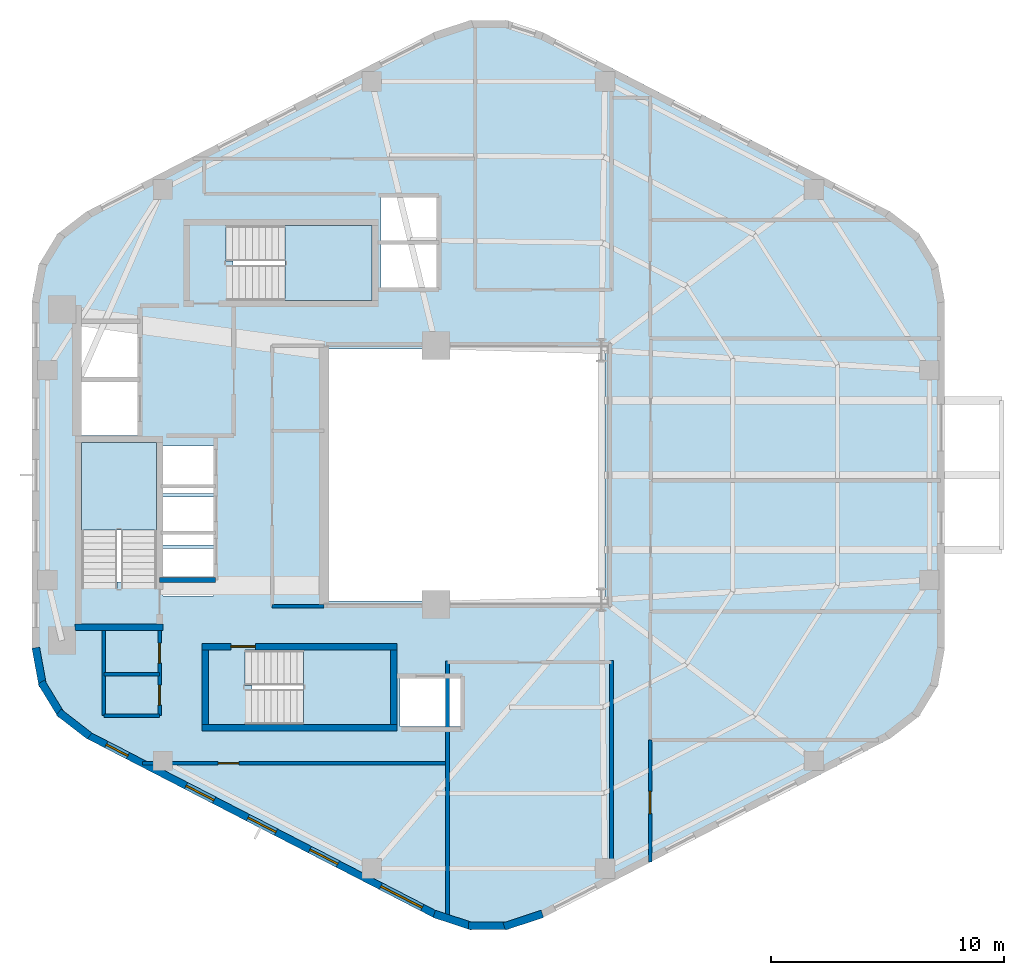
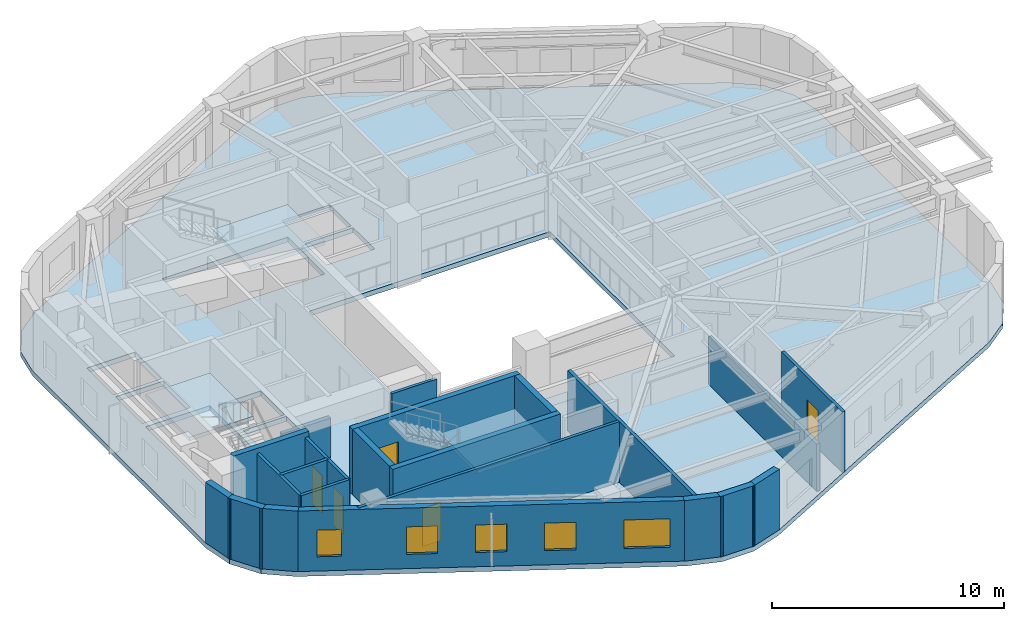
# One storey, part 2 of 6: 22 walls, 5 doors, 5 windows, 4 slabs, 10 openings, 3 elements without a shape of their own.
"""IFC4 building model written with IfcOpenShell, lengths in metres."""

import ifcopenshell
import ifcopenshell.guid

model = None  # the IFC model being written
_history = None  # IfcOwnerHistory: only IFC2X3 demands one
_inside = {}  # id of a spatial element -> (the spatial element, [elements in it])
_under = {}  # id of a project, library or spatial element -> (it, [spatial elements below it])
_declared = {}  # id of a project -> (the project, [libraries it declares])
_typed = {}  # id of a type object -> (the type object, [elements of that type])
_made_of = {}  # id of a material, layer set ... -> (it, [elements and type objects made of it])


def new_model(schema):
    """Start an empty IFC model of exactly this schema.

    Asked for "IFC4X3", IfcOpenShell would pick the latest addendum, in which some entities
    have other attributes; the version numbers below select the first issue.
    IFC2X3 requires an IfcOwnerHistory on every rooted entity: one is made here for all.
    """
    global model, _history
    if schema == "IFC4X3":
        model = ifcopenshell.file(schema_version=(4, 3, 0, 0))
    else:
        model = ifcopenshell.file(schema=schema)
    _inside.clear()
    _under.clear()
    _declared.clear()
    _typed.clear()
    _made_of.clear()
    _history = None
    if model.schema == "IFC2X3":
        org = make("IfcOrganization", Name="unknown")
        user = make(
            "IfcPersonAndOrganization",
            ThePerson=make("IfcPerson", FamilyName="unknown"),
            TheOrganization=org,
        )
        app = make(
            "IfcApplication",
            ApplicationDeveloper=org,
            Version="unknown",
            ApplicationFullName="unknown",
            ApplicationIdentifier="unknown",
        )
        _history = make(
            "IfcOwnerHistory",
            OwningUser=user,
            OwningApplication=app,
            ChangeAction="ADDED",
            CreationDate=0,
        )
    return model


def make(cls, **values):
    """One entity of the class cls with the attributes given. An attribute that is None is left unset."""
    return model.create_entity(
        cls, **{name: value for name, value in values.items() if value is not None}
    )


def rooted(cls, **values):
    """An entity with a GlobalId (a new one), such as an element, a storey or a relation."""
    return make(cls, GlobalId=ifcopenshell.guid.new(), OwnerHistory=_history, **values)


def si_unit(unit_type, name, prefix=None):
    """IfcSIUnit, for example si_unit("LENGTHUNIT", "METRE", prefix="MILLI")."""
    return make("IfcSIUnit", UnitType=unit_type, Prefix=prefix, Name=name)


def assignment(units):
    """IfcUnitAssignment: the units of a project."""
    return None if units is None else make("IfcUnitAssignment", Units=units)


def point(xyz):
    """IfcCartesianPoint."""
    return None if xyz is None else make("IfcCartesianPoint", Coordinates=xyz)


def direction(xyz):
    """IfcDirection."""
    return None if xyz is None else make("IfcDirection", DirectionRatios=xyz)


def frame(location, z_axis=None, x_axis=None):
    """IfcAxis2Placement3D, a coordinate frame: its origin and axes. An axis left out is left unset."""
    return make(
        "IfcAxis2Placement3D",
        Location=point(location),
        Axis=direction(z_axis),
        RefDirection=direction(x_axis),
    )


def frame_2d(location, x_axis=None):
    """IfcAxis2Placement2D, a coordinate frame in the plane: its origin and x axis."""
    return make(
        "IfcAxis2Placement2D", Location=point(location), RefDirection=direction(x_axis)
    )


def origin():
    """The frame at (0, 0, 0) with its axes left unset."""
    return frame((0.0, 0.0, 0.0))


def place(relative_to, where):
    """IfcLocalPlacement: puts the frame where relative to a parent placement (None: the world)."""
    return make(
        "IfcLocalPlacement", PlacementRelTo=relative_to, RelativePlacement=where
    )


def context(
    kind, dimensions, precision=None, world=None, true_north=None, identifier=None
):
    """IfcGeometricRepresentationContext, for example the 3D "Model" context."""
    return make(
        "IfcGeometricRepresentationContext",
        ContextIdentifier=identifier,
        ContextType=kind,
        CoordinateSpaceDimension=dimensions,
        Precision=precision,
        WorldCoordinateSystem=world,
        TrueNorth=true_north,
    )


def subcontext(parent, identifier, kind, view, scale=None):
    """IfcGeometricRepresentationSubContext, for example "Body" below "Model"."""
    return make(
        "IfcGeometricRepresentationSubContext",
        ContextIdentifier=identifier,
        ContextType=kind,
        ParentContext=parent,
        TargetScale=scale,
        TargetView=view,
    )


def project(units=None, contexts=None):
    """IfcProject with its units and contexts."""
    return rooted(
        "IfcProject",
        Name="project",
        RepresentationContexts=contexts,
        UnitsInContext=assignment(units),
    )


def spatial(cls, under=None, at=None, **own):
    """A site, building, storey or space (cls), placed at a placement, below another one or the project."""
    s = rooted(cls, ObjectPlacement=at, **own)
    if under is not None:
        _under.setdefault(under.id(), (under, []))[1].append(s)
    return s


def polyline(points):
    """IfcPolyline through the points."""
    return make("IfcPolyline", Points=[point(p) for p in points])


def profile(cls, at=None, kind="AREA", **sizes):
    """A parametric profile (cls). Its sizes go by their IFC names, for example OverallWidth=200.0."""
    return make(cls, ProfileType=kind, Position=at, **sizes)


def rectangle(**sizes):
    """IfcRectangleProfileDef."""
    return profile("IfcRectangleProfileDef", **sizes)


def outline(outer, holes=None, kind="AREA"):
    """IfcArbitraryClosedProfileDef: a profile drawn as a closed curve; with holes, ...WithVoids."""
    if holes is None:
        return make("IfcArbitraryClosedProfileDef", ProfileType=kind, OuterCurve=outer)
    return make(
        "IfcArbitraryProfileDefWithVoids",
        ProfileType=kind,
        OuterCurve=outer,
        InnerCurves=holes,
    )


def extrude(swept, where, along, depth):
    """IfcExtrudedAreaSolid: the profile swept, set in the frame where, extruded along a direction by depth."""
    return make(
        "IfcExtrudedAreaSolid",
        SweptArea=swept,
        Position=where,
        ExtrudedDirection=direction(along),
        Depth=depth,
    )


def shape(context_of_items, identifier, shape_type, items):
    """IfcShapeRepresentation: the items that make up one representation, for example the "Body"."""
    return make(
        "IfcShapeRepresentation",
        ContextOfItems=context_of_items,
        RepresentationIdentifier=identifier,
        RepresentationType=shape_type,
        Items=items,
    )


def material(Name=None, Category=None):
    """IfcMaterial."""
    return make("IfcMaterial", Name=Name, Category=Category)


def layer(
    of_material, thickness, ventilated=None, Name=None, Category=None, Priority=None
):
    """IfcMaterialLayer: one layer of a wall or slab, of a material (None: an air gap)."""
    return make(
        "IfcMaterialLayer",
        Material=of_material,
        LayerThickness=thickness,
        IsVentilated=ventilated,
        Name=Name,
        Category=Category,
        Priority=Priority,
    )


def layer_set(layers, Name=None):
    """IfcMaterialLayerSet."""
    return make("IfcMaterialLayerSet", MaterialLayers=layers, LayerSetName=Name)


def made_of(thing, what):
    """Note that an element or type object is made of a material, layer set ...; save() writes the relation."""
    if what is not None:
        _made_of.setdefault(what.id(), (what, []))[1].append(thing)
    return thing


def type_object(cls, material=None, **own):
    """A type object (cls), such as IfcWallType, which elements share."""
    return made_of(rooted(cls, **own), material)


def element(
    cls,
    number,
    at=None,
    inside=None,
    cuts=None,
    type_object=None,
    material=None,
    context=None,
    identifier="Body",
    shape_type=None,
    held_by="IfcProductDefinitionShape",
    body=None,
    shapes=None,
    **own,
):
    """One element of the class cls, such as IfcWall. Its Tag is "e" and its number.

    at: its placement. inside: the storey or other place that contains it. cuts: it is an
    opening in that element (IfcRelVoidsElement). A single representation is given by context,
    identifier, shape_type and body (its items); several are given by shapes. held_by: the class
    of the entity that holds the representations. save() writes the other relations.
    """
    e = rooted(cls, Tag="e%d" % number, ObjectPlacement=at, **own)
    if body is not None:
        shapes = [shape(context, identifier, shape_type, body)]
    if shapes is not None:
        e.Representation = make(held_by, Representations=shapes)
    if inside is not None:
        _inside.setdefault(inside.id(), (inside, []))[1].append(e)
    if cuts is not None:
        rooted(
            "IfcRelVoidsElement", RelatingBuildingElement=cuts, RelatedOpeningElement=e
        )
    if type_object is not None:
        _typed.setdefault(type_object.id(), (type_object, []))[1].append(e)
    return made_of(e, material)


def fill(opening, filler):
    """IfcRelFillsElement: the door or window that sits in an opening."""
    return rooted(
        "IfcRelFillsElement",
        RelatingOpeningElement=opening,
        RelatedBuildingElement=filler,
    )


def aggregate(whole, parts):
    """IfcRelAggregates: a whole, such as a stair, and the parts it consists of."""
    return rooted("IfcRelAggregates", RelatingObject=whole, RelatedObjects=parts)


def save(model, path):
    """Write the relations noted so far, then the file.

    IfcRelAggregates (storeys below a building ...), IfcRelContainedInSpatialStructure (elements
    in a storey), IfcRelDefinesByType, IfcRelAssociatesMaterial and IfcRelDeclares: one each for
    every whole, place, type object, material and project.
    """
    for whole, parts in _under.values():
        aggregate(whole, parts)
    for where, things in _inside.values():
        rooted(
            "IfcRelContainedInSpatialStructure",
            RelatedElements=things,
            RelatingStructure=where,
        )
    for kind, things in _typed.values():
        rooted("IfcRelDefinesByType", RelatedObjects=things, RelatingType=kind)
    for what, things in _made_of.values():
        rooted("IfcRelAssociatesMaterial", RelatedObjects=things, RelatingMaterial=what)
    for by, libraries in _declared.values():
        rooted("IfcRelDeclares", RelatingContext=by, RelatedDefinitions=libraries)
    model.write(path)


model = new_model("IFC4")

# Units and contexts
model_context = context("Model", 3, precision=1e-05, world=origin(), true_north=direction((0.0, 1.0)))
body_context = subcontext(model_context, "Body", "Model", "MODEL_VIEW")
ifc_project = project(units=[si_unit("LENGTHUNIT", "METRE"), si_unit("AREAUNIT", "SQUARE_METRE"), si_unit("VOLUMEUNIT", "CUBIC_METRE"), si_unit("PLANEANGLEUNIT", "RADIAN"), si_unit("MASSUNIT", "GRAM", prefix="KILO"), si_unit("THERMODYNAMICTEMPERATUREUNIT", "KELVIN"), si_unit("POWERUNIT", "WATT")], contexts=[model_context])

# Site, building, storey
site_placement = place(None, origin())
site = spatial("IfcSite", under=ifc_project, at=site_placement, CompositionType="ELEMENT")
building_placement = place(site_placement, origin())
building = spatial("IfcBuilding", under=site, at=building_placement, Name="Skarre Station Tower", CompositionType="ELEMENT")
storey_placement = place(building_placement, frame((0.0, 0.0, 210.25)))
storey = spatial("IfcBuildingStorey", under=building, at=storey_placement, Name="L57", CompositionType="ELEMENT", Elevation=210.25)

# Stair, slab
ifc_material_1 = material(Name="Concrete C40/50", Category="concrete")
stair_type_1 = type_object("IfcStairType", Name="Reinforced Concrete Exit Stair ST-1", PredefinedType="HALF_TURN_STAIR", material=ifc_material_1)
stair_1_placement = place(storey_placement, origin())
stair_1 = element("IfcStair", 1, at=stair_1_placement, inside=storey, type_object=stair_type_1, Name="L57 Core Exit Stair ST-1", PredefinedType="HALF_TURN_STAIR")
ifc_layer_1 = layer(ifc_material_1, 0.219970703125, Name="Concrete C40/50")
ifc_layer_set_1 = layer_set([ifc_layer_1], Name="Concrete C40/50")
slab_type_1 = type_object("IfcSlabType", Name="Reinforced Concrete Stair & Ramp Landing 220", PredefinedType="LANDING", material=ifc_layer_set_1)
slab_1_placement = place(storey_placement, frame((0.0, 0.0, 1.52490234375)))
slab_1 = element("IfcSlab", 2, at=slab_1_placement, type_object=slab_type_1, Name="ST-1 landing 1", PredefinedType="LANDING", context=body_context, shape_type="SweptSolid", body=[
    extrude(outline(polyline([(20.35009765625, 21.639892578125), (20.35009765625, 25.39990234375), (17.14990234375, 25.39990234375), (17.14990234375, 21.639892578125), (20.35009765625, 21.639892578125)])), origin(), (0.0, 0.0, 1.0), 0.2001953125),
])
aggregate(stair_1, [slab_1])

stair_type_2 = type_object("IfcStairType", Name="Reinforced Concrete Exit Stair ST-2", PredefinedType="HALF_TURN_STAIR", material=ifc_material_1)
stair_2_placement = place(storey_placement, origin())
stair_2 = element("IfcStair", 3, at=stair_2_placement, inside=storey, type_object=stair_type_2, Name="L57 Core Exit Stair ST-2", PredefinedType="HALF_TURN_STAIR")
slab_2_placement = place(storey_placement, frame((0.0, 0.0, 1.52490234375)))
slab_2 = element("IfcSlab", 4, at=slab_2_placement, type_object=slab_type_1, Name="ST-2 landing 1", PredefinedType="LANDING", context=body_context, shape_type="SweptSolid", body=[
    extrude(outline(polyline([(26.669921875, 13.300048828125), (30.39990234375, 13.300048828125), (30.39990234375, 16.5), (26.669921875, 16.5), (26.669921875, 13.300048828125)])), origin(), (0.0, 0.0, 1.0), 0.2001953125),
])
aggregate(stair_2, [slab_2])

stair_type_3 = type_object("IfcStairType", Name="Reinforced Concrete Exit Stair ST-3", PredefinedType="HALF_TURN_STAIR", material=ifc_material_1)
stair_3_placement = place(storey_placement, origin())
stair_3 = element("IfcStair", 5, at=stair_3_placement, inside=storey, type_object=stair_type_3, Name="L57 Core Exit Stair ST-3", PredefinedType="HALF_TURN_STAIR")
slab_3_placement = place(storey_placement, frame((0.0, 0.0, 1.52490234375)))
slab_3 = element("IfcSlab", 6, at=slab_3_placement, type_object=slab_type_1, Name="ST-3 landing 1", PredefinedType="LANDING", context=body_context, shape_type="SweptSolid", body=[
    extrude(outline(polyline([(25.8701171875, 31.5), (29.60009765625, 31.5), (29.60009765625, 34.699951171875), (25.8701171875, 34.699951171875), (25.8701171875, 31.5)])), origin(), (0.0, 0.0, 1.0), 0.2001953125),
])
aggregate(stair_3, [slab_3])

# Slab
ifc_material_2 = material(Name="Concrete C50/60", Category="concrete")
ifc_layer_2 = layer(ifc_material_2, 0.260009765625, Name="Concrete C50/60")
ifc_layer_set_2 = layer_set([ifc_layer_2], Name="Concrete C50/60")
slab_type_2 = type_object("IfcSlabType", Name="Tower Typical Composite Floor Slab 260", PredefinedType="FLOOR", material=ifc_layer_set_2)
slab_4_placement = place(storey_placement, frame((0.0, 0.0, -0.260009765625)))
element("IfcSlab", 7, at=slab_4_placement, inside=storey, type_object=slab_type_2, Name="L57 Zone 3 Structural Floor Slab", PredefinedType="FLOOR", context=body_context, shape_type="SweptSolid", body=[
    extrude(outline(polyline([(54.172119140625, 31.501953125), (53.89208984375, 33.02294921875), (53.0869140625, 34.344970703125), (51.863037109375, 35.291015625), (36.908935546875, 43.009033203125), (35.39599609375, 43.506103515625), (33.803955078125, 43.506103515625), (32.291015625, 43.009033203125), (17.3369140625, 35.291015625), (16.113037109375, 34.344970703125), (15.30810546875, 33.02294921875), (15.028076171875, 31.501953125), (15.028076171875, 16.498046875), (15.30810546875, 14.97705078125), (16.113037109375, 13.655029296875), (17.3369140625, 12.708984375), (32.291015625, 4.990966796875), (33.803955078125, 4.493896484375), (35.39599609375, 4.493896484375), (36.908935546875, 4.990966796875), (51.863037109375, 12.708984375), (53.0869140625, 13.655029296875), (53.89208984375, 14.97705078125), (54.172119140625, 16.498046875), (54.172119140625, 31.501953125)]), holes=[polyline([(18.669921875, 19.419921875), (18.669921875, 19.123046875), (17.14990234375, 19.123046875), (17.14990234375, 25.39990234375), (20.35009765625, 25.39990234375), (20.35009765625, 19.419921875), (18.669921875, 19.419921875)]), polyline([(24.449951171875, 14.97998046875), (24.153076171875, 14.97998046875), (24.153076171875, 16.5), (30.39990234375, 16.5), (30.39990234375, 13.300048828125), (24.449951171875, 13.300048828125), (24.449951171875, 14.97998046875)]), polyline([(23.64990234375, 33.179931640625), (23.35302734375, 33.179931640625), (23.35302734375, 34.699951171875), (29.60009765625, 34.699951171875), (29.60009765625, 31.5), (23.64990234375, 31.5), (23.64990234375, 33.179931640625)]), polyline([(17.14990234375, 28.0), (19.550048828125, 28.0), (19.550048828125, 25.699951171875), (17.14990234375, 25.699951171875), (17.14990234375, 28.0)]), polyline([(17.14990234375, 30.5), (19.550048828125, 30.5), (19.550048828125, 28.199951171875), (17.14990234375, 28.199951171875), (17.14990234375, 30.5)]), polyline([(30.800048828125, 15.300048828125), (33.39990234375, 15.300048828125), (33.39990234375, 13.199951171875), (30.800048828125, 13.199951171875), (30.800048828125, 15.300048828125)]), polyline([(20.64990234375, 20.85009765625), (22.800048828125, 20.85009765625), (22.800048828125, 18.800048828125), (20.64990234375, 18.800048828125), (20.64990234375, 20.85009765625)]), polyline([(20.64990234375, 23.050048828125), (22.800048828125, 23.050048828125), (22.800048828125, 21.0), (20.64990234375, 21.0), (20.64990234375, 23.050048828125)]), polyline([(20.64990234375, 25.25), (22.800048828125, 25.25), (22.800048828125, 23.199951171875), (20.64990234375, 23.199951171875), (20.64990234375, 25.25)]), polyline([(30.0, 33.89990234375), (32.39990234375, 33.89990234375), (32.39990234375, 32.050048828125), (30.0, 32.050048828125), (30.0, 33.89990234375)]), polyline([(30.0, 35.89990234375), (32.39990234375, 35.89990234375), (32.39990234375, 34.050048828125), (30.0, 34.050048828125), (30.0, 35.89990234375)]), polyline([(27.60009765625, 29.39990234375), (39.60009765625, 29.39990234375), (39.60009765625, 18.60009765625), (27.60009765625, 18.60009765625), (27.60009765625, 29.39990234375)])]), origin(), (0.0, 0.0, 1.0), 0.260009765625),
])

# Walls
ifc_material_3 = material(Name="Acoustic Steel-Stud Gypsum Partition", Category="steel")
ifc_layer_3 = layer(ifc_material_3, 0.14990234375, Name="Acoustic Steel-Stud Gypsum Partition")
ifc_layer_set_3 = layer_set([ifc_layer_3], Name="Acoustic Steel-Stud Gypsum Partition")
wall_type_1 = type_object("IfcWallType", Name="Fire-Rated Corridor Acoustic Partition 150", PredefinedType="PARTITIONING", material=ifc_layer_set_3)
wall_1_placement = place(storey_placement, frame((25.320068359375, 18.360107421875, 0.0), z_axis=(0.0, 0.0, 1.0), x_axis=(1.0, 0.0, 0.0)))
element("IfcWall", 8, at=wall_1_placement, inside=storey, type_object=wall_type_1, Name="L57 Interior Partition WL-PT-L57-RC2-S", PredefinedType="PARTITIONING", context=body_context, shape_type="SweptSolid", body=[
    extrude(rectangle(XDim=2.22998046875, YDim=0.14990234375, at=frame_2d((1.114990234375, 0.0))), origin(), (0.0, 0.0, 1.0), 3.18994140625),
])
wall_2_placement = place(storey_placement, frame((18.10009765625, 17.340087890625, 0.0), z_axis=(0.0, 0.0, 1.0), x_axis=(0.0, -1.0, 0.0)))
element("IfcWall", 9, at=wall_2_placement, inside=storey, type_object=wall_type_1, Name="L57 Interior Partition WL-PT-L57-CSVC-W", PredefinedType="PARTITIONING", context=body_context, shape_type="SweptSolid", body=[
    extrude(rectangle(XDim=3.66015625, YDim=0.14990234375, at=frame_2d((1.830078125, 0.0))), origin(), (0.0, 0.0, 1.0), 3.18994140625),
])
for number, where, z_axis, x_axis, name in (
    (10, (18.10009765625, 13.679931640625, 0.0), (0.0, 0.0, 1.0), (1.0, 0.0, 0.0), "L57 Interior Partition WL-PT-L57-CSVC-S"),
    (11, (18.10009765625, 15.4599609375, 0.0), (0.0, 0.0, 1.0), (1.0, 0.0, 0.0), "L57 Interior Partition WL-PT-L57-CSVC-M"),
):
    element("IfcWall", number, at=place(storey_placement, frame(where, z_axis=z_axis, x_axis=x_axis)), inside=storey, type_object=wall_type_1, Name=name, PredefinedType="PARTITIONING", context=body_context, shape_type="SweptSolid", body=[
        extrude(rectangle(XDim=2.389892578125, YDim=0.14990234375, at=frame_2d((1.19482421875, 0.0))), origin(), (0.0, 0.0, 1.0), 3.18994140625),
    ])

# Wall, openings, doors
wall_3_placement = place(storey_placement, frame((20.489990234375, 13.679931640625, 0.0), z_axis=(0.0, 0.0, 1.0), x_axis=(0.0, 1.0, 0.0)))
wall_3 = element("IfcWall", 12, at=wall_3_placement, inside=storey, type_object=wall_type_1, Name="L57 Interior Partition WL-PT-L57-CSVC-E", PredefinedType="PARTITIONING", context=body_context, shape_type="SweptSolid", body=[
    extrude(rectangle(XDim=3.66015625, YDim=0.14990234375, at=frame_2d((1.830078125, 0.0))), origin(), (0.0, 0.0, 1.0), 3.18994140625),
])
opening_1_placement = place(wall_3_placement, frame((0.449951171875, 0.0, 0.0)))
opening_1 = element("IfcOpeningElement", 13, at=opening_1_placement, cuts=wall_3, Name="Opening DR-SVC86", PredefinedType="OPENING", context=body_context, shape_type="SweptSolid", body=[
    extrude(rectangle(XDim=0.860107421875, YDim=2.0, at=frame_2d((0.43017578125, 1.0))), frame((0.0, 0.0849609375, 0.0), z_axis=(0.0, -1.0, 0.0), x_axis=(1.0, 0.0, 0.0)), (0.0, 0.0, 1.0), 0.169921875),
])
opening_2_placement = place(wall_3_placement, frame((2.25, 0.0, 0.0)))
opening_2 = element("IfcOpeningElement", 14, at=opening_2_placement, cuts=wall_3, Name="Opening DR-SVC86", PredefinedType="OPENING", context=body_context, shape_type="SweptSolid", body=[
    extrude(rectangle(XDim=0.860107421875, YDim=2.0, at=frame_2d((0.43017578125, 1.0))), frame((0.0, 0.0849609375, 0.0), z_axis=(0.0, -1.0, 0.0), x_axis=(1.0, 0.0, 0.0)), (0.0, 0.0, 1.0), 0.169921875),
])
ifc_material_4 = material(Name="Powder-Coated Hollow-Metal Acoustic Fire Leaf", Category="steel")
door_type_1 = type_object("IfcDoorType", Name="Compact Riser Fire Door FD60 860x2100", OperationType="SINGLE_SWING_LEFT", PredefinedType="DOOR", material=ifc_material_4)
door_1_placement = place(opening_1_placement, origin())
door_1 = element("IfcDoor", 15, at=door_1_placement, inside=storey, type_object=door_type_1, Name="L57 Vending Room Door", OperationType="SINGLE_SWING_LEFT", OverallHeight=2.0, OverallWidth=0.860107421875, PredefinedType="DOOR", context=body_context, shape_type="SweptSolid", body=[
    extrude(rectangle(XDim=0.860107421875, YDim=2.0, at=frame_2d((0.43017578125, 1.0))), frame((0.0, 0.02490234375, 0.0), z_axis=(0.0, -1.0, 0.0), x_axis=(1.0, 0.0, 0.0)), (0.0, 0.0, 1.0), 0.050048828125),
])
fill(opening_1, door_1)
door_2_placement = place(opening_2_placement, origin())
door_2 = element("IfcDoor", 16, at=door_2_placement, inside=storey, type_object=door_type_1, Name="L57 Linen Storage Door", OperationType="SINGLE_SWING_LEFT", OverallHeight=2.0, OverallWidth=0.860107421875, PredefinedType="DOOR", context=body_context, shape_type="SweptSolid", body=[
    extrude(rectangle(XDim=0.860107421875, YDim=2.0, at=frame_2d((0.43017578125, 1.0))), frame((0.0, 0.02490234375, 0.0), z_axis=(0.0, -1.0, 0.0), x_axis=(1.0, 0.0, 0.0)), (0.0, 0.0, 1.0), 0.050048828125),
])
fill(opening_2, door_2)

# Wall, opening, door
wall_4_placement = place(storey_placement, frame((19.757080078125, 11.639892578125, 0.0), z_axis=(0.0, 0.0, 1.0), x_axis=(1.0, 0.0, 0.0)))
wall_4 = element("IfcWall", 17, at=wall_4_placement, inside=storey, type_object=wall_type_1, Name="L57 Interior Partition WL-PT-L57-SWP-N", PredefinedType="PARTITIONING", context=body_context, shape_type="SweptSolid", body=[
    extrude(rectangle(XDim=13.093017578125, YDim=0.14990234375, at=frame_2d((6.54638671875, 0.0))), origin(), (0.0, 0.0, 1.0), 3.18994140625),
])
opening_3_placement = place(wall_4_placement, frame((3.242919921875, 0.0, 0.0)))
opening_3 = element("IfcOpeningElement", 18, at=opening_3_placement, cuts=wall_4, Name="Opening DR-SVC90", PredefinedType="OPENING", context=body_context, shape_type="SweptSolid", body=[
    extrude(rectangle(XDim=0.89990234375, YDim=2.0, at=frame_2d((0.449951171875, 1.0))), frame((0.0, 0.0849609375, 0.0), z_axis=(0.0, -1.0, 0.0), x_axis=(1.0, 0.0, 0.0)), (0.0, 0.0, 1.0), 0.169921875),
])
door_type_2 = type_object("IfcDoorType", Name="Service & Riser Fire Door FD60 900x2100", OperationType="SINGLE_SWING_LEFT", PredefinedType="DOOR", material=ifc_material_4)
door_3_placement = place(opening_3_placement, origin())
door_3 = element("IfcDoor", 19, at=door_3_placement, inside=storey, type_object=door_type_2, Name="L57 Floor Public Toilets Door", OperationType="SINGLE_SWING_LEFT", OverallHeight=2.0, OverallWidth=0.89990234375, PredefinedType="DOOR", context=body_context, shape_type="SweptSolid", body=[
    extrude(rectangle(XDim=0.89990234375, YDim=2.0, at=frame_2d((0.449951171875, 1.0))), frame((0.0, 0.02490234375, 0.0), z_axis=(0.0, -1.0, 0.0), x_axis=(1.0, 0.0, 0.0)), (0.0, 0.0, 1.0), 0.050048828125),
])
fill(opening_3, door_3)

wall_5_placement = place(storey_placement, frame((41.5400390625, 7.39208984375, 0.0), z_axis=(0.0, 0.0, 1.0), x_axis=(0.0, 1.0, 0.0)))
wall_5 = element("IfcWall", 20, at=wall_5_placement, inside=storey, type_object=wall_type_1, Name="L57 Interior Partition WL-PT-L57-SW1-CW", PredefinedType="PARTITIONING", context=body_context, shape_type="SweptSolid", body=[
    extrude(rectangle(XDim=5.22900390625, YDim=0.14990234375, at=frame_2d((2.614501953125, 0.0))), origin(), (0.0, 0.0, 1.0), 3.18994140625),
])
opening_4_placement = place(wall_5_placement, frame((2.075927734375, 0.0, 0.0)))
opening_4 = element("IfcOpeningElement", 21, at=opening_4_placement, cuts=wall_5, Name="Opening DR-FD60", PredefinedType="OPENING", context=body_context, shape_type="SweptSolid", body=[
    extrude(rectangle(XDim=0.9599609375, YDim=2.0, at=frame_2d((0.47998046875, 1.0))), frame((0.0, 0.0849609375, 0.0), z_axis=(0.0, -1.0, 0.0), x_axis=(1.0, 0.0, 0.0)), (0.0, 0.0, 1.0), 0.169921875),
])
ifc_material_5 = material(Name="Nordic White-Oak Veneer Solid-Core Fire Leaf", Category="wood")
door_type_3 = type_object("IfcDoorType", Name="Corridor Suite Entry Fire Door FD60 960x2150", OperationType="SINGLE_SWING_LEFT", PredefinedType="DOOR", material=ifc_material_5)
door_4_placement = place(opening_4_placement, origin())
door_4 = element("IfcDoor", 22, at=door_4_placement, inside=storey, type_object=door_type_3, Name="L57 SW1 Entry Door", OperationType="SINGLE_SWING_LEFT", OverallHeight=2.0, OverallWidth=0.9599609375, PredefinedType="DOOR", context=body_context, shape_type="SweptSolid", body=[
    extrude(rectangle(XDim=0.9599609375, YDim=2.0, at=frame_2d((0.47998046875, 1.0))), frame((0.0, 0.02490234375, 0.0), z_axis=(0.0, -1.0, 0.0), x_axis=(1.0, 0.0, 0.0)), (0.0, 0.0, 1.0), 0.050048828125),
])
fill(opening_4, door_4)

# Walls
ifc_material_6 = material(Name="Precast concrete C45/55", Category="concrete")
ifc_layer_4 = layer(ifc_material_6, 0.330078125, Name="Precast concrete C45/55")
ifc_layer_set_4 = layer_set([ifc_layer_4], Name="Precast concrete C45/55")
wall_type_2 = type_object("IfcWallType", Name="Nordic Rounded Corner Precast Wall 330", PredefinedType="STANDARD", material=ifc_layer_set_4)
wall_6_placement = place(storey_placement, frame((17.489013671875, 12.800048828125, 0.0), z_axis=(0.0, 0.0, 1.0), x_axis=(-0.791409877269, 0.611285862884, 0.0)))
element("IfcWall", 23, at=wall_6_placement, inside=storey, type_object=wall_type_2, Name="L57 Rounded Corner Precast Wall F3-1", PredefinedType="STANDARD", context=body_context, shape_type="SweptSolid", body=[
    extrude(rectangle(XDim=1.676513671875, YDim=0.330078125, at=frame_2d((0.83837890625, 0.0))), origin(), (0.0, 0.0, 1.0), 3.18994140625),
])
wall_7_placement = place(storey_placement, frame((16.2880859375, 13.68505859375, 0.0), z_axis=(0.0, 0.0, 1.0), x_axis=(-0.520325409202, 0.853968072318, 0.0)))
element("IfcWall", 24, at=wall_7_placement, inside=storey, type_object=wall_type_2, Name="L57 Rounded Corner Precast Wall F3-2", PredefinedType="STANDARD", context=body_context, shape_type="SweptSolid", body=[
    extrude(rectangle(XDim=1.677978515625, YDim=0.330078125, at=frame_2d((0.8388671875, 0.0))), origin(), (0.0, 0.0, 1.0), 3.18994140625),
])
wall_8_placement = place(storey_placement, frame((15.48193359375, 14.943115234375, 0.0), z_axis=(0.0, 0.0, 1.0), x_axis=(-0.180717642671, 0.983535019014, 0.0)))
element("IfcWall", 25, at=wall_8_placement, inside=storey, type_object=wall_type_2, Name="L57 Rounded Corner Precast Wall F3-3", PredefinedType="STANDARD", context=body_context, shape_type="SweptSolid", body=[
    extrude(rectangle(XDim=1.676513671875, YDim=0.330078125, at=frame_2d((0.83837890625, 0.0))), origin(), (0.0, 0.0, 1.0), 3.18994140625),
])
wall_9_placement = place(storey_placement, frame((36.9189453125, 5.16796875, 0.0), z_axis=(0.0, 0.0, 1.0), x_axis=(-0.949937416267, -0.312440242569, 0.0)))
element("IfcWall", 26, at=wall_9_placement, inside=storey, type_object=wall_type_2, Name="L57 Rounded Corner Precast Wall F4-1", PredefinedType="STANDARD", context=body_context, shape_type="SweptSolid", body=[
    extrude(rectangle(XDim=1.72216796875, YDim=0.330078125, at=frame_2d((0.861083984375, 0.0))), origin(), (0.0, 0.0, 1.0), 3.18994140625),
])
wall_10_placement = place(storey_placement, frame((35.4609375, 4.658935546875, 0.0), z_axis=(0.0, 0.0, 1.0), x_axis=(-1.0, 0.0, 0.0)))
element("IfcWall", 27, at=wall_10_placement, inside=storey, type_object=wall_type_2, Name="L57 Rounded Corner Precast Wall F4-2", PredefinedType="STANDARD", context=body_context, shape_type="SweptSolid", body=[
    extrude(rectangle(XDim=1.721923828125, YDim=0.330078125, at=frame_2d((0.86083984375, 0.0))), origin(), (0.0, 0.0, 1.0), 3.18994140625),
])
wall_11_placement = place(storey_placement, frame((33.9169921875, 4.6298828125, 0.0), z_axis=(0.0, 0.0, 1.0), x_axis=(-0.949937416267, 0.312440242569, 0.0)))
element("IfcWall", 28, at=wall_11_placement, inside=storey, type_object=wall_type_2, Name="L57 Rounded Corner Precast Wall F4-3", PredefinedType="STANDARD", context=body_context, shape_type="SweptSolid", body=[
    extrude(rectangle(XDim=1.72216796875, YDim=0.330078125, at=frame_2d((0.861083984375, 0.0))), origin(), (0.0, 0.0, 1.0), 3.18994140625),
])

# Wall, openings, windows
ifc_layer_5 = layer(ifc_material_6, 0.31005859375, Name="Precast concrete C45/55")
ifc_layer_set_5 = layer_set([ifc_layer_5], Name="Precast concrete C45/55")
wall_type_3 = type_object("IfcWallType", Name="Nordic Upper-Zone Precast Facet Wall 310", PredefinedType="STANDARD", material=ifc_layer_set_5)
wall_12_placement = place(storey_placement, frame((32.362060546875, 5.12890625, 0.0), z_axis=(0.0, 0.0, 1.0), x_axis=(-0.888626188278, 0.458632202867, 0.0)))
wall_12 = element("IfcWall", 29, at=wall_12_placement, inside=storey, type_object=wall_type_3, Name="L57 Facet 3 Nordic Precast Masonry Wall", PredefinedType="STANDARD", context=body_context, shape_type="SweptSolid", body=[
    extrude(rectangle(XDim=16.828369140625, YDim=0.31005859375, at=frame_2d((8.4140625, 0.0))), origin(), (0.0, 0.0, 1.0), 3.18994140625),
])
opening_5_placement = place(wall_12_placement, frame((0.675048828125, 0.0, 0.75)))
opening_5 = element("IfcOpeningElement", 30, at=opening_5_placement, cuts=wall_12, Name="Opening WN-Z3A", PredefinedType="OPENING", context=body_context, shape_type="SweptSolid", body=[
    extrude(rectangle(XDim=2.0, YDim=1.5, at=frame_2d((1.0, 0.75))), frame((0.0, 0.1650390625, 0.0), z_axis=(0.0, -1.0, 0.0), x_axis=(1.0, 0.0, 0.0)), (0.0, 0.0, 1.0), 0.330078125),
])
opening_6_placement = place(wall_12_placement, frame((4.75, 0.0, 0.75)))
opening_6 = element("IfcOpeningElement", 31, at=opening_6_placement, cuts=wall_12, Name="Opening WN-Z3B", PredefinedType="OPENING", context=body_context, shape_type="SweptSolid", body=[
    extrude(rectangle(XDim=1.35009765625, YDim=1.449951171875, at=frame_2d((0.675048828125, 0.72509765625))), frame((0.0, 0.1650390625, 0.0), z_axis=(0.0, -1.0, 0.0), x_axis=(1.0, 0.0, 0.0)), (0.0, 0.0, 1.0), 0.330078125),
])
opening_7_placement = place(wall_12_placement, frame((7.739013671875, 0.0, 0.75)))
opening_7 = element("IfcOpeningElement", 32, at=opening_7_placement, cuts=wall_12, Name="Opening WN-Z3B", PredefinedType="OPENING", context=body_context, shape_type="SweptSolid", body=[
    extrude(rectangle(XDim=1.35009765625, YDim=1.449951171875, at=frame_2d((0.675048828125, 0.72509765625))), frame((0.0, 0.1650390625, 0.0), z_axis=(0.0, -1.0, 0.0), x_axis=(1.0, 0.0, 0.0)), (0.0, 0.0, 1.0), 0.330078125),
])
opening_8_placement = place(wall_12_placement, frame((10.72802734375, 0.0, 0.75)))
opening_8 = element("IfcOpeningElement", 33, at=opening_8_placement, cuts=wall_12, Name="Opening WN-Z3B", PredefinedType="OPENING", context=body_context, shape_type="SweptSolid", body=[
    extrude(rectangle(XDim=1.35009765625, YDim=1.449951171875, at=frame_2d((0.675048828125, 0.72509765625))), frame((0.0, 0.1650390625, 0.0), z_axis=(0.0, -1.0, 0.0), x_axis=(1.0, 0.0, 0.0)), (0.0, 0.0, 1.0), 0.330078125),
])
opening_9_placement = place(wall_12_placement, frame((14.885009765625, 0.0, 0.75)))
opening_9 = element("IfcOpeningElement", 34, at=opening_9_placement, cuts=wall_12, Name="Opening WN-SLT", PredefinedType="OPENING", context=body_context, shape_type="SweptSolid", body=[
    extrude(rectangle(XDim=1.050048828125, YDim=1.39990234375, at=frame_2d((0.52490234375, 0.699951171875))), frame((0.0, 0.1650390625, 0.0), z_axis=(0.0, -1.0, 0.0), x_axis=(1.0, 0.0, 0.0)), (0.0, 0.0, 1.0), 0.330078125),
])
ifc_material_7 = material(Name="Low-Iron Triple Glazing with Bronze Anodized Frame", Category="glass")
window_type_1 = type_object("IfcWindowType", Name="Nordic Corner Slot Window 1050x1400", PartitioningType="SINGLE_PANEL", PredefinedType="WINDOW", material=ifc_material_7)
window_1_placement = place(opening_9_placement, origin())
window_1 = element("IfcWindow", 35, at=window_1_placement, inside=storey, type_object=window_type_1, Name="L57 Facade Window WL-FAC-L57-F3-5", OverallHeight=1.39990234375, OverallWidth=1.050048828125, PartitioningType="SINGLE_PANEL", PredefinedType="WINDOW", context=body_context, shape_type="SweptSolid", body=[
    extrude(rectangle(XDim=1.050048828125, YDim=1.39990234375, at=frame_2d((0.52490234375, 0.699951171875))), frame((0.0, 0.030029296875, 0.0), z_axis=(0.0, -1.0, 0.0), x_axis=(1.0, 0.0, 0.0)), (0.0, 0.0, 1.0), 0.06005859375),
])
fill(opening_9, window_1)
window_type_2 = type_object("IfcWindowType", Name="Nordic Hospitality Narrow Window 1350x1450", PartitioningType="SINGLE_PANEL", PredefinedType="WINDOW", material=ifc_material_7)
window_2_placement = place(opening_6_placement, origin())
window_2 = element("IfcWindow", 36, at=window_2_placement, inside=storey, type_object=window_type_2, Name="L57 Facade Window WL-FAC-L57-F3-2", OverallHeight=1.449951171875, OverallWidth=1.35009765625, PartitioningType="SINGLE_PANEL", PredefinedType="WINDOW", context=body_context, shape_type="SweptSolid", body=[
    extrude(rectangle(XDim=1.35009765625, YDim=1.449951171875, at=frame_2d((0.675048828125, 0.72509765625))), frame((0.0, 0.030029296875, 0.0), z_axis=(0.0, -1.0, 0.0), x_axis=(1.0, 0.0, 0.0)), (0.0, 0.0, 1.0), 0.06005859375),
])
fill(opening_6, window_2)
window_3_placement = place(opening_7_placement, origin())
window_3 = element("IfcWindow", 37, at=window_3_placement, inside=storey, type_object=window_type_2, Name="L57 Facade Window WL-FAC-L57-F3-3", OverallHeight=1.449951171875, OverallWidth=1.35009765625, PartitioningType="SINGLE_PANEL", PredefinedType="WINDOW", context=body_context, shape_type="SweptSolid", body=[
    extrude(rectangle(XDim=1.35009765625, YDim=1.449951171875, at=frame_2d((0.675048828125, 0.72509765625))), frame((0.0, 0.030029296875, 0.0), z_axis=(0.0, -1.0, 0.0), x_axis=(1.0, 0.0, 0.0)), (0.0, 0.0, 1.0), 0.06005859375),
])
fill(opening_7, window_3)
window_4_placement = place(opening_8_placement, origin())
window_4 = element("IfcWindow", 38, at=window_4_placement, inside=storey, type_object=window_type_2, Name="L57 Facade Window WL-FAC-L57-F3-4", OverallHeight=1.449951171875, OverallWidth=1.35009765625, PartitioningType="SINGLE_PANEL", PredefinedType="WINDOW", context=body_context, shape_type="SweptSolid", body=[
    extrude(rectangle(XDim=1.35009765625, YDim=1.449951171875, at=frame_2d((0.675048828125, 0.72509765625))), frame((0.0, 0.030029296875, 0.0), z_axis=(0.0, -1.0, 0.0), x_axis=(1.0, 0.0, 0.0)), (0.0, 0.0, 1.0), 0.06005859375),
])
fill(opening_8, window_4)
window_type_3 = type_object("IfcWindowType", Name="Nordic Hospitality Window 2000x1500", PartitioningType="SINGLE_PANEL", PredefinedType="WINDOW", material=ifc_material_7)
window_5_placement = place(opening_5_placement, origin())
window_5 = element("IfcWindow", 39, at=window_5_placement, inside=storey, type_object=window_type_3, Name="L57 Facade Window WL-FAC-L57-F3-1", OverallHeight=1.5, OverallWidth=2.0, PartitioningType="SINGLE_PANEL", PredefinedType="WINDOW", context=body_context, shape_type="SweptSolid", body=[
    extrude(rectangle(XDim=2.0, YDim=1.5, at=frame_2d((1.0, 0.75))), frame((0.0, 0.030029296875, 0.0), z_axis=(0.0, -1.0, 0.0), x_axis=(1.0, 0.0, 0.0)), (0.0, 0.0, 1.0), 0.06005859375),
])
fill(opening_5, window_5)

# Walls
ifc_layer_6 = layer(ifc_material_2, 0.280029296875, Name="Concrete C50/60")
ifc_layer_set_6 = layer_set([ifc_layer_6], Name="Concrete C50/60")
wall_type_4 = type_object("IfcWallType", Name="RC Core Shear Wall 280", PredefinedType="SHEAR", material=ifc_layer_set_6)
wall_13_placement = place(storey_placement, frame((16.8701171875, 17.4599609375, 0.0), z_axis=(0.0, 0.0, 1.0), x_axis=(1.0, 0.0, 0.0)))
element("IfcWall", 40, at=wall_13_placement, inside=storey, type_object=wall_type_4, Name="L57 Stair ST-1 South Shear Wall", PredefinedType="SHEAR", context=body_context, shape_type="SweptSolid", body=[
    extrude(rectangle(XDim=3.759765625, YDim=0.280029296875, at=frame_2d((1.8798828125, 0.0))), origin(), (0.0, 0.0, 1.0), 3.449951171875),
])
wall_14_placement = place(storey_placement, frame((22.320068359375, 13.159912109375, 0.0), z_axis=(0.0, 0.0, 1.0), x_axis=(1.0, 0.0, 0.0)))
element("IfcWall", 41, at=wall_14_placement, inside=storey, type_object=wall_type_4, Name="L57 Stair ST-2 South Shear Wall", PredefinedType="SHEAR", context=body_context, shape_type="SweptSolid", body=[
    extrude(rectangle(XDim=8.35986328125, YDim=0.280029296875, at=frame_2d((4.179931640625, 0.0))), origin(), (0.0, 0.0, 1.0), 3.449951171875),
])

# Wall, opening, door
wall_15_placement = place(storey_placement, frame((30.679931640625, 16.639892578125, 0.0), z_axis=(0.0, 0.0, 1.0), x_axis=(-1.0, 0.0, 0.0)))
wall_15 = element("IfcWall", 42, at=wall_15_placement, inside=storey, type_object=wall_type_4, Name="L57 Stair ST-2 North Shear Wall", PredefinedType="SHEAR", context=body_context, shape_type="SweptSolid", body=[
    extrude(rectangle(XDim=8.35986328125, YDim=0.280029296875, at=frame_2d((4.179931640625, 0.0))), origin(), (0.0, 0.0, 1.0), 3.449951171875),
])
opening_10_placement = place(wall_15_placement, frame((6.080078125, 0.0, 0.0)))
opening_10 = element("IfcOpeningElement", 43, at=opening_10_placement, cuts=wall_15, Name="Opening DR-FD90", PredefinedType="OPENING", context=body_context, shape_type="SweptSolid", body=[
    extrude(rectangle(XDim=1.050048828125, YDim=2.0, at=frame_2d((0.52490234375, 1.0))), frame((0.0, 0.14990234375, 0.0), z_axis=(0.0, -1.0, 0.0), x_axis=(1.0, 0.0, 0.0)), (0.0, 0.0, 1.0), 0.300048828125),
])
ifc_material_8 = material(Name="Fire-Rated Insulated Steel Frame & Timber Core Leaf", Category="steel")
door_type_4 = type_object("IfcDoorType", Name="Stair & FSAE Lobby Fire Door FD90 1050x2150", OperationType="SINGLE_SWING_RIGHT", PredefinedType="DOOR", material=ifc_material_8)
door_5_placement = place(opening_10_placement, origin())
door_5 = element("IfcDoor", 44, at=door_5_placement, inside=storey, type_object=door_type_4, Name="L57 Stair ST-2 Exit Door", OperationType="SINGLE_SWING_RIGHT", OverallHeight=2.0, OverallWidth=1.050048828125, PredefinedType="DOOR", context=body_context, shape_type="SweptSolid", body=[
    extrude(rectangle(XDim=1.050048828125, YDim=2.0, at=frame_2d((0.52490234375, 1.0))), frame((0.0, 0.02490234375, 0.0), z_axis=(0.0, -1.0, 0.0), x_axis=(1.0, 0.0, 0.0)), (0.0, 0.0, 1.0), 0.050048828125),
])
fill(opening_10, door_5)

# Walls
for number, where, z_axis, x_axis, name in (
    (45, (22.4599609375, 16.5, 0.0), (0.0, 0.0, 1.0), (0.0, -1.0, 0.0), "L57 Stair ST-2 West Shear Wall"),
    (46, (30.5400390625, 13.300048828125, 0.0), (0.0, 0.0, 1.0), (0.0, 1.0, 0.0), "L57 Stair ST-2 East Shear Wall"),
):
    element("IfcWall", number, at=place(storey_placement, frame(where, z_axis=z_axis, x_axis=x_axis)), inside=storey, type_object=wall_type_4, Name=name, PredefinedType="SHEAR", context=body_context, shape_type="SweptSolid", body=[
        extrude(rectangle(XDim=3.199951171875, YDim=0.280029296875, at=frame_2d((1.60009765625, 0.0))), origin(), (0.0, 0.0, 1.0), 3.449951171875),
    ])
ifc_material_9 = material(Name="Gypsum Concrete Shaft Assembly C30/37", Category="concrete")
ifc_layer_7 = layer(ifc_material_9, 0.199951171875, Name="Gypsum Concrete Shaft Assembly C30/37")
ifc_layer_set_7 = layer_set([ifc_layer_7], Name="Gypsum Concrete Shaft Assembly C30/37")
wall_type_5 = type_object("IfcWallType", Name="Shaft & Core Fire Partition 200", PredefinedType="PARTITIONING", material=ifc_layer_set_7)
wall_16_placement = place(storey_placement, frame((20.489990234375, 19.5, 0.0), z_axis=(0.0, 0.0, 1.0), x_axis=(1.0, 0.0, 0.0)))
element("IfcWall", 47, at=wall_16_placement, inside=storey, type_object=wall_type_5, Name="L57 Interior Partition WL-PT-L57-B3-S", PredefinedType="PARTITIONING", context=body_context, shape_type="SweptSolid", body=[
    extrude(rectangle(XDim=2.409912109375, YDim=0.199951171875, at=frame_2d((1.205078125, 0.0))), origin(), (0.0, 0.0, 1.0), 2.090087890625),
])
ifc_layer_8 = layer(ifc_material_3, 0.1650390625, Name="Acoustic Steel-Stud Gypsum Partition")
ifc_layer_set_8 = layer_set([ifc_layer_8], Name="Acoustic Steel-Stud Gypsum Partition")
wall_type_6 = type_object("IfcWallType", Name="Suite Demising Acoustic Partition 165", PredefinedType="PARTITIONING", material=ifc_layer_set_8)
wall_17_placement = place(storey_placement, frame((32.85009765625, 4.97607421875, 0.0), z_axis=(0.0, 0.0, 1.0), x_axis=(0.0, 1.0, 0.0)))
element("IfcWall", 48, at=wall_17_placement, inside=storey, type_object=wall_type_6, Name="L57 Interior Partition WL-PT-L57-SWP-E", PredefinedType="PARTITIONING", context=body_context, shape_type="SweptSolid", body=[
    extrude(rectangle(XDim=11.053955078125, YDim=0.1650390625, at=frame_2d((5.52685546875, 0.0))), origin(), (0.0, 0.0, 1.0), 3.18994140625),
])
wall_18_placement = place(storey_placement, frame((39.8798828125, 6.7041015625, 0.0), z_axis=(0.0, 0.0, 1.0), x_axis=(0.0, 1.0, 0.0)))
element("IfcWall", 49, at=wall_18_placement, inside=storey, type_object=wall_type_6, Name="L57 Interior Partition WL-PT-L57-SWC-E", PredefinedType="PARTITIONING", context=body_context, shape_type="SweptSolid", body=[
    extrude(rectangle(XDim=9.345947265625, YDim=0.1650390625, at=frame_2d((4.6728515625, 0.0))), origin(), (0.0, 0.0, 1.0), 2.4970703125),
])

save(model, "model.ifc")
